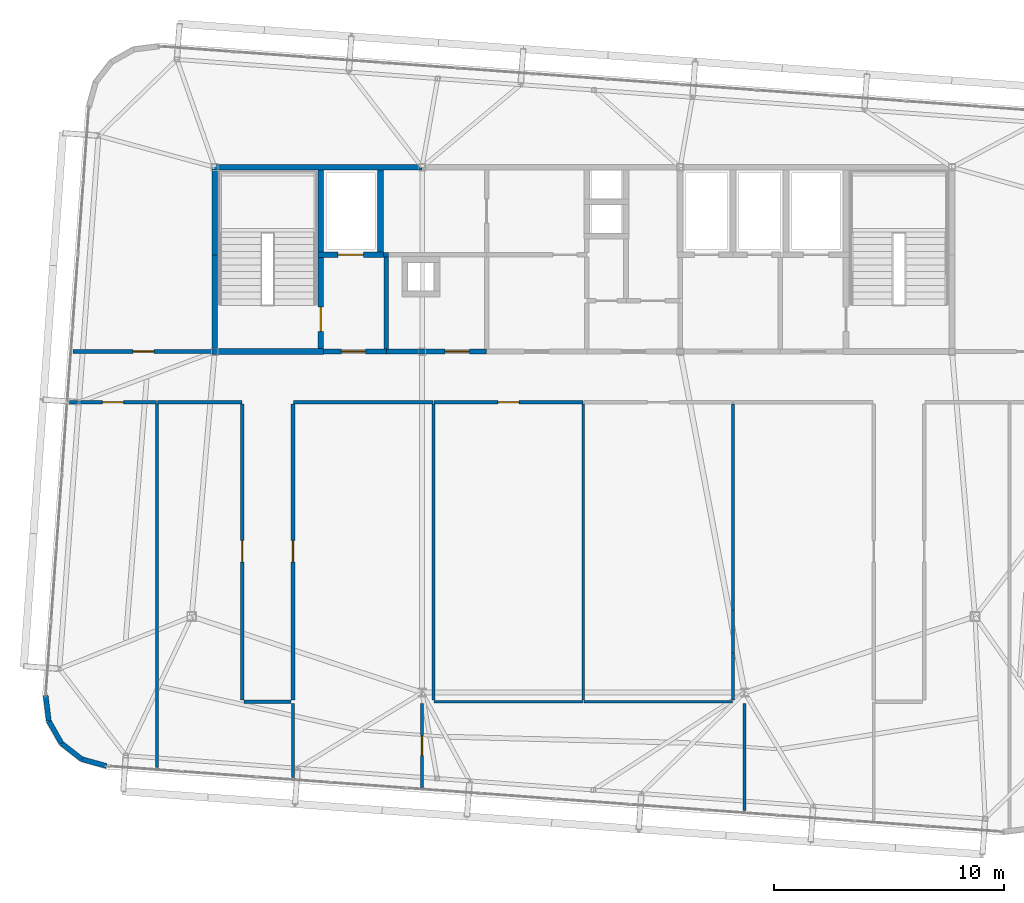
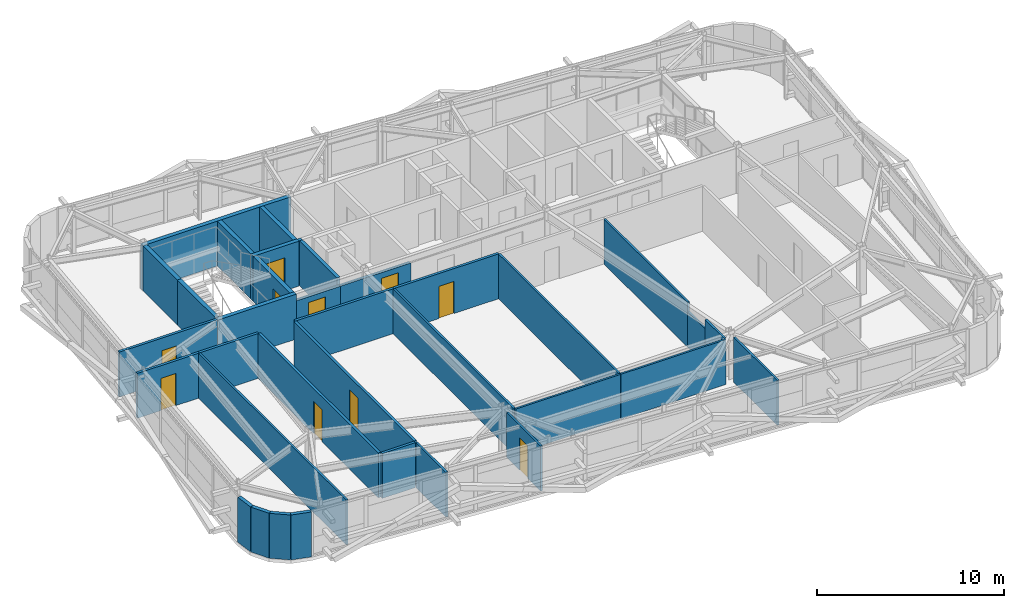
# One storey, part 38 of 42: 35 walls, 10 doors, 10 openings.
"""IFC4 building model written with IfcOpenShell, lengths in metres."""

import ifcopenshell
import ifcopenshell.guid

model = None  # the IFC model being written
_history = None  # IfcOwnerHistory: only IFC2X3 demands one
_inside = {}  # id of a spatial element -> (the spatial element, [elements in it])
_under = {}  # id of a project, library or spatial element -> (it, [spatial elements below it])
_declared = {}  # id of a project -> (the project, [libraries it declares])
_typed = {}  # id of a type object -> (the type object, [elements of that type])
_made_of = {}  # id of a material, layer set ... -> (it, [elements and type objects made of it])


def new_model(schema):
    """Start an empty IFC model of exactly this schema.

    Asked for "IFC4X3", IfcOpenShell would pick the latest addendum, in which some entities
    have other attributes; the version numbers below select the first issue.
    IFC2X3 requires an IfcOwnerHistory on every rooted entity: one is made here for all.
    """
    global model, _history
    if schema == "IFC4X3":
        model = ifcopenshell.file(schema_version=(4, 3, 0, 0))
    else:
        model = ifcopenshell.file(schema=schema)
    _inside.clear()
    _under.clear()
    _declared.clear()
    _typed.clear()
    _made_of.clear()
    _history = None
    if model.schema == "IFC2X3":
        org = make("IfcOrganization", Name="unknown")
        user = make(
            "IfcPersonAndOrganization",
            ThePerson=make("IfcPerson", FamilyName="unknown"),
            TheOrganization=org,
        )
        app = make(
            "IfcApplication",
            ApplicationDeveloper=org,
            Version="unknown",
            ApplicationFullName="unknown",
            ApplicationIdentifier="unknown",
        )
        _history = make(
            "IfcOwnerHistory",
            OwningUser=user,
            OwningApplication=app,
            ChangeAction="ADDED",
            CreationDate=0,
        )
    return model


def make(cls, **values):
    """One entity of the class cls with the attributes given. An attribute that is None is left unset."""
    return model.create_entity(
        cls, **{name: value for name, value in values.items() if value is not None}
    )


def rooted(cls, **values):
    """An entity with a GlobalId (a new one), such as an element, a storey or a relation."""
    return make(cls, GlobalId=ifcopenshell.guid.new(), OwnerHistory=_history, **values)


def si_unit(unit_type, name, prefix=None):
    """IfcSIUnit, for example si_unit("LENGTHUNIT", "METRE", prefix="MILLI")."""
    return make("IfcSIUnit", UnitType=unit_type, Prefix=prefix, Name=name)


def assignment(units):
    """IfcUnitAssignment: the units of a project."""
    return None if units is None else make("IfcUnitAssignment", Units=units)


def point(xyz):
    """IfcCartesianPoint."""
    return None if xyz is None else make("IfcCartesianPoint", Coordinates=xyz)


def direction(xyz):
    """IfcDirection."""
    return None if xyz is None else make("IfcDirection", DirectionRatios=xyz)


def frame(location, z_axis=None, x_axis=None):
    """IfcAxis2Placement3D, a coordinate frame: its origin and axes. An axis left out is left unset."""
    return make(
        "IfcAxis2Placement3D",
        Location=point(location),
        Axis=direction(z_axis),
        RefDirection=direction(x_axis),
    )


def frame_2d(location, x_axis=None):
    """IfcAxis2Placement2D, a coordinate frame in the plane: its origin and x axis."""
    return make(
        "IfcAxis2Placement2D", Location=point(location), RefDirection=direction(x_axis)
    )


def origin():
    """The frame at (0, 0, 0) with its axes left unset."""
    return frame((0.0, 0.0, 0.0))


def place(relative_to, where):
    """IfcLocalPlacement: puts the frame where relative to a parent placement (None: the world)."""
    return make(
        "IfcLocalPlacement", PlacementRelTo=relative_to, RelativePlacement=where
    )


def context(
    kind, dimensions, precision=None, world=None, true_north=None, identifier=None
):
    """IfcGeometricRepresentationContext, for example the 3D "Model" context."""
    return make(
        "IfcGeometricRepresentationContext",
        ContextIdentifier=identifier,
        ContextType=kind,
        CoordinateSpaceDimension=dimensions,
        Precision=precision,
        WorldCoordinateSystem=world,
        TrueNorth=true_north,
    )


def subcontext(parent, identifier, kind, view, scale=None):
    """IfcGeometricRepresentationSubContext, for example "Body" below "Model"."""
    return make(
        "IfcGeometricRepresentationSubContext",
        ContextIdentifier=identifier,
        ContextType=kind,
        ParentContext=parent,
        TargetScale=scale,
        TargetView=view,
    )


def project(units=None, contexts=None):
    """IfcProject with its units and contexts."""
    return rooted(
        "IfcProject",
        Name="project",
        RepresentationContexts=contexts,
        UnitsInContext=assignment(units),
    )


def spatial(cls, under=None, at=None, **own):
    """A site, building, storey or space (cls), placed at a placement, below another one or the project."""
    s = rooted(cls, ObjectPlacement=at, **own)
    if under is not None:
        _under.setdefault(under.id(), (under, []))[1].append(s)
    return s


def profile(cls, at=None, kind="AREA", **sizes):
    """A parametric profile (cls). Its sizes go by their IFC names, for example OverallWidth=200.0."""
    return make(cls, ProfileType=kind, Position=at, **sizes)


def rectangle(**sizes):
    """IfcRectangleProfileDef."""
    return profile("IfcRectangleProfileDef", **sizes)


def extrude(swept, where, along, depth):
    """IfcExtrudedAreaSolid: the profile swept, set in the frame where, extruded along a direction by depth."""
    return make(
        "IfcExtrudedAreaSolid",
        SweptArea=swept,
        Position=where,
        ExtrudedDirection=direction(along),
        Depth=depth,
    )


def shape(context_of_items, identifier, shape_type, items):
    """IfcShapeRepresentation: the items that make up one representation, for example the "Body"."""
    return make(
        "IfcShapeRepresentation",
        ContextOfItems=context_of_items,
        RepresentationIdentifier=identifier,
        RepresentationType=shape_type,
        Items=items,
    )


def source(mapping_origin, context_of_items, identifier, shape_type, items):
    """IfcRepresentationMap: a shape defined once, which mapped items show again and again."""
    return make(
        "IfcRepresentationMap",
        MappingOrigin=mapping_origin,
        MappedRepresentation=shape(context_of_items, identifier, shape_type, items),
    )


def transform(
    local_origin,
    x_axis=None,
    y_axis=None,
    z_axis=None,
    scale=None,
    scale2=None,
    scale3=None,
    uniform=True,
):
    """IfcCartesianTransformationOperator3D, or its non-uniform kind. x_axis, y_axis, z_axis: its Axis1, 2, 3."""
    if uniform:
        return make(
            "IfcCartesianTransformationOperator3D",
            Axis1=direction(x_axis),
            Axis2=direction(y_axis),
            LocalOrigin=point(local_origin),
            Scale=scale,
            Axis3=direction(z_axis),
        )
    return make(
        "IfcCartesianTransformationOperator3DnonUniform",
        Axis1=direction(x_axis),
        Axis2=direction(y_axis),
        LocalOrigin=point(local_origin),
        Scale=scale,
        Axis3=direction(z_axis),
        Scale2=scale2,
        Scale3=scale3,
    )


def mapped(mapping_source, mapping_target):
    """IfcMappedItem: shows the shape of a source again, moved by a transform."""
    return make(
        "IfcMappedItem", MappingSource=mapping_source, MappingTarget=mapping_target
    )


def material(Name=None, Category=None):
    """IfcMaterial."""
    return make("IfcMaterial", Name=Name, Category=Category)


def layer(
    of_material, thickness, ventilated=None, Name=None, Category=None, Priority=None
):
    """IfcMaterialLayer: one layer of a wall or slab, of a material (None: an air gap)."""
    return make(
        "IfcMaterialLayer",
        Material=of_material,
        LayerThickness=thickness,
        IsVentilated=ventilated,
        Name=Name,
        Category=Category,
        Priority=Priority,
    )


def layer_set(layers, Name=None):
    """IfcMaterialLayerSet."""
    return make("IfcMaterialLayerSet", MaterialLayers=layers, LayerSetName=Name)


def made_of(thing, what):
    """Note that an element or type object is made of a material, layer set ...; save() writes the relation."""
    if what is not None:
        _made_of.setdefault(what.id(), (what, []))[1].append(thing)
    return thing


def type_object(cls, material=None, **own):
    """A type object (cls), such as IfcWallType, which elements share."""
    return made_of(rooted(cls, **own), material)


def element(
    cls,
    number,
    at=None,
    inside=None,
    cuts=None,
    type_object=None,
    material=None,
    context=None,
    identifier="Body",
    shape_type=None,
    held_by="IfcProductDefinitionShape",
    body=None,
    shapes=None,
    **own,
):
    """One element of the class cls, such as IfcWall. Its Tag is "e" and its number.

    at: its placement. inside: the storey or other place that contains it. cuts: it is an
    opening in that element (IfcRelVoidsElement). A single representation is given by context,
    identifier, shape_type and body (its items); several are given by shapes. held_by: the class
    of the entity that holds the representations. save() writes the other relations.
    """
    e = rooted(cls, Tag="e%d" % number, ObjectPlacement=at, **own)
    if body is not None:
        shapes = [shape(context, identifier, shape_type, body)]
    if shapes is not None:
        e.Representation = make(held_by, Representations=shapes)
    if inside is not None:
        _inside.setdefault(inside.id(), (inside, []))[1].append(e)
    if cuts is not None:
        rooted(
            "IfcRelVoidsElement", RelatingBuildingElement=cuts, RelatedOpeningElement=e
        )
    if type_object is not None:
        _typed.setdefault(type_object.id(), (type_object, []))[1].append(e)
    return made_of(e, material)


def fill(opening, filler):
    """IfcRelFillsElement: the door or window that sits in an opening."""
    return rooted(
        "IfcRelFillsElement",
        RelatingOpeningElement=opening,
        RelatedBuildingElement=filler,
    )


def aggregate(whole, parts):
    """IfcRelAggregates: a whole, such as a stair, and the parts it consists of."""
    return rooted("IfcRelAggregates", RelatingObject=whole, RelatedObjects=parts)


def save(model, path):
    """Write the relations noted so far, then the file.

    IfcRelAggregates (storeys below a building ...), IfcRelContainedInSpatialStructure (elements
    in a storey), IfcRelDefinesByType, IfcRelAssociatesMaterial and IfcRelDeclares: one each for
    every whole, place, type object, material and project.
    """
    for whole, parts in _under.values():
        aggregate(whole, parts)
    for where, things in _inside.values():
        rooted(
            "IfcRelContainedInSpatialStructure",
            RelatedElements=things,
            RelatingStructure=where,
        )
    for kind, things in _typed.values():
        rooted("IfcRelDefinesByType", RelatedObjects=things, RelatingType=kind)
    for what, things in _made_of.values():
        rooted("IfcRelAssociatesMaterial", RelatedObjects=things, RelatingMaterial=what)
    for by, libraries in _declared.values():
        rooted("IfcRelDeclares", RelatingContext=by, RelatedDefinitions=libraries)
    model.write(path)


model = new_model("IFC4")

# Units and contexts
model_context = context("Model", 3, precision=1e-05, world=origin(), true_north=direction((0.0, 1.0)))
body_context = subcontext(model_context, "Body", "Model", "MODEL_VIEW")
ifc_project = project(units=[si_unit("LENGTHUNIT", "METRE"), si_unit("AREAUNIT", "SQUARE_METRE"), si_unit("VOLUMEUNIT", "CUBIC_METRE"), si_unit("PLANEANGLEUNIT", "RADIAN"), si_unit("MASSUNIT", "GRAM", prefix="KILO")], contexts=[model_context])

# Site, building, storey
site_placement = place(None, origin())
site = spatial("IfcSite", under=ifc_project, at=site_placement, CompositionType="ELEMENT")
building_placement = place(site_placement, origin())
building = spatial("IfcBuilding", under=site, at=building_placement, Name="Taldren Reach Tower", CompositionType="ELEMENT")
storey_placement = place(building_placement, frame((0.0, 0.0, 217.699951171875)))
storey = spatial("IfcBuildingStorey", under=building, at=storey_placement, Name="L66", CompositionType="ELEMENT", Elevation=217.699951171875)

# Walls
ifc_material_1 = material(Name="Pale Champagne Anodised Aluminium Cladding", Category="aluminium")
ifc_layer_1 = layer(ifc_material_1, 0.04, Name="Pale Champagne Anodised Aluminium Cladding", Category="aluminium")
ifc_material_2 = material(Name="Mineral Wool Acoustic Insulation", Category="insulation")
ifc_layer_2 = layer(ifc_material_2, 0.06, Name="Mineral Wool Acoustic Insulation", Category="insulation")
ifc_material_3 = material(Name="Steel Gr 350 (C350L0)", Category="steel")
ifc_layer_3 = layer(ifc_material_3, 0.12, Name="Steel Gr 350 (C350L0)", Category="steel")
ifc_layer_set_1 = layer_set([ifc_layer_1, ifc_layer_2, ifc_layer_3], Name="Pale Champagne Aluminium Cladding and Steel Gr 350 Stud Framing")
wall_type_1 = type_object("IfcWallType", Name="EW-CRN-220", PredefinedType="SOLIDWALL", material=ifc_layer_set_1)
shared_shape_1 = source(origin(), body_context, "Body", "SweptSolid", [
    extrude(rectangle(XDim=1.115966796875, YDim=0.219970703125, at=frame_2d((0.55810546875, 0.0))), origin(), (0.0, 0.0, 1.0), 2.929931640625),
])
for number, where, z_axis, x_axis, name in (
    (1, (11.66259765625, 9.072021484375, 0.0), (0.0, 0.0, 1.0), (0.122742076028, -0.992438604032, 0.0), "Rounded-corner pale-metal facade wall L66-SW1"),
    (2, (11.799560546875, 7.964599609375, 0.0), (0.0, 0.0, 1.0), (0.493073284892, -0.869987779067, 0.0), "Rounded-corner pale-metal facade wall L66-SW2"),
    (3, (12.349853515625, 6.99365234375, 0.0), (0.0, 0.0, 1.0), (0.788597772321, -0.614909386406, 0.0), "Rounded-corner pale-metal facade wall L66-SW3"),
):
    element("IfcWall", number, at=place(storey_placement, frame(where, z_axis=z_axis, x_axis=x_axis)), inside=storey, type_object=wall_type_1, Name=name, PredefinedType="SOLIDWALL", context=body_context, shape_type="MappedRepresentation", body=[
        mapped(shared_shape_1, transform((0.0, 0.0, 0.0), scale=1.0)),
    ])
shared_shape_2 = source(origin(), body_context, "Body", "SweptSolid", [
    extrude(rectangle(XDim=1.11572265625, YDim=0.219970703125, at=frame_2d((0.557861328125, 0.0))), origin(), (0.0, 0.0, 1.0), 2.929931640625),
])
wall_1_placement = place(storey_placement, frame((13.22998046875, 6.307373046875, 0.0), z_axis=(0.0, 0.0, 1.0), x_axis=(0.963890028874, -0.266300605026, 0.0)))
element("IfcWall", 4, at=wall_1_placement, inside=storey, type_object=wall_type_1, Name="Rounded-corner pale-metal facade wall L66-SW4", PredefinedType="SOLIDWALL", context=body_context, shape_type="MappedRepresentation", body=[
    mapped(shared_shape_2, transform((0.0, 0.0, 0.0), scale=1.0)),
])

# Wall, opening, door
ifc_material_4 = material(Name="Concrete S50 (50 MPa)", Category="concrete")
ifc_layer_4 = layer(ifc_material_4, 0.199951171875)
ifc_layer_set_2 = layer_set([ifc_layer_4], Name="Concrete S50 (50 MPa)")
wall_type_2 = type_object("IfcWallType", Name="IW-CORE-200", PredefinedType="SOLIDWALL", material=ifc_layer_set_2)
shared_shape_3 = source(origin(), body_context, "Body", "SweptSolid", [
    extrude(rectangle(XDim=4.35009765625, YDim=0.199951171875, at=frame_2d((2.175048828125, 0.0))), origin(), (0.0, 0.0, 1.0), 2.469970703125),
])
wall_2_placement = place(storey_placement, frame((30.800048828125, 24.0, 0.0), z_axis=(0.0, 0.0, 1.0), x_axis=(-1.0, 0.0, 0.0)))
wall_2 = element("IfcWall", 5, at=wall_2_placement, inside=storey, type_object=wall_type_2, Name="Rear Core Shear Wall W-INT-L66-034", PredefinedType="SOLIDWALL", context=body_context, shape_type="MappedRepresentation", body=[
    mapped(shared_shape_3, transform((0.0, 0.0, 0.0), scale=1.0)),
])
shared_shape_4 = source(origin(), body_context, "Body", "SweptSolid", [
    extrude(rectangle(XDim=1.050048828125, YDim=2.10009765625, at=frame_2d((0.52490234375, 1.050048828125))), frame((0.0, 0.10986328125, 0.0), z_axis=(0.0, -1.0, 0.0), x_axis=(1.0, 0.0, 0.0)), (0.0, 0.0, 1.0), 0.219970703125),
])
opening_1_placement = place(wall_2_placement, frame((0.75, 0.0, 0.0)))
opening_1 = element("IfcOpeningElement", 6, at=opening_1_placement, cuts=wall_2, Name="Opening DF-105", PredefinedType="OPENING", context=body_context, shape_type="MappedRepresentation", body=[
    mapped(shared_shape_4, transform((0.0, 0.0, 0.0), scale=1.0)),
])
ifc_material_5 = material(Name="Fire-Rated Care and Stair Exit Door")
door_type_1 = type_object("IfcDoorType", Name="ID-FIRE-105", OperationType="NOTDEFINED", PredefinedType="DOOR", material=ifc_material_5)
shared_shape_5 = source(origin(), body_context, "Body", "SweptSolid", [
    extrude(rectangle(XDim=1.050048828125, YDim=2.10009765625, at=frame_2d((0.52490234375, 1.050048828125))), frame((0.0, 0.02490234375, 0.0), z_axis=(0.0, -1.0, 0.0), x_axis=(1.0, 0.0, 0.0)), (0.0, 0.0, 1.0), 0.050048828125),
])
door_1_placement = place(opening_1_placement, frame((1.050048828125, 0.0, 0.0), z_axis=(0.0, 0.0, 1.0), x_axis=(-1.0, 0.0, 0.0)))
door_1 = element("IfcDoor", 7, at=door_1_placement, inside=storey, type_object=door_type_1, Name="Interior Door DR-L66-006", OperationType="SINGLE_SWING_RIGHT", OverallHeight=2.10009765625, OverallWidth=1.050048828125, PredefinedType="DOOR", context=body_context, shape_type="MappedRepresentation", body=[
    mapped(shared_shape_5, transform((0.0, 0.0, 0.0), scale=1.0)),
])
fill(opening_1, door_1)

# Walls
ifc_material_6 = material(Name="Fire-Rated Acoustic Plasterboard Stud Wall", Category="gypsum")
ifc_layer_5 = layer(ifc_material_6, 0.159912109375)
ifc_layer_set_3 = layer_set([ifc_layer_5], Name="Fire-Rated Acoustic Plasterboard Stud Wall")
wall_type_3 = type_object("IfcWallType", Name="IW-FIRE-160", PredefinedType="PARTITIONING", material=ifc_layer_set_3)
shared_shape_6 = source(origin(), body_context, "Body", "SweptSolid", [
    extrude(rectangle(XDim=2.0400390625, YDim=0.159912109375, at=frame_2d((1.02001953125, 0.0))), origin(), (0.0, 0.0, 1.0), 2.929931640625),
])
wall_3_placement = place(storey_placement, frame((22.320068359375, 8.800048828125, 0.0), z_axis=(0.0, 0.0, 1.0), x_axis=(-1.0, 0.0, 0.0)))
element("IfcWall", 8, at=wall_3_placement, inside=storey, type_object=wall_type_3, Name="Interior Partition Wall W-INT-L66-049", PredefinedType="PARTITIONING", context=body_context, shape_type="MappedRepresentation", body=[
    mapped(shared_shape_6, transform((0.0, 0.0, 0.0), scale=1.0)),
])
shared_shape_7 = source(origin(), body_context, "Body", "SweptSolid", [
    extrude(rectangle(XDim=6.0595703125, YDim=0.159912109375, at=frame_2d((3.02978515625, 0.0))), origin(), (0.0, 0.0, 1.0), 2.929931640625),
])
wall_4_placement = place(storey_placement, frame((28.479736328125, 21.800048828125, 0.0), z_axis=(0.0, 0.0, 1.0), x_axis=(-1.0, 0.0, 0.0)))
element("IfcWall", 9, at=wall_4_placement, inside=storey, type_object=wall_type_3, Name="Interior Partition Wall W-INT-L66-051", PredefinedType="PARTITIONING", context=body_context, shape_type="MappedRepresentation", body=[
    mapped(shared_shape_7, transform((0.0, 0.0, 0.0), scale=1.0)),
])
shared_shape_8 = source(origin(), body_context, "Body", "SweptSolid", [
    extrude(rectangle(XDim=4.0, YDim=0.199951171875, at=frame_2d((2.0, 0.0))), origin(), (0.0, 0.0, 1.0), 2.929931640625),
])
wall_5_placement = place(storey_placement, frame((26.449951171875, 24.10009765625, 0.0), z_axis=(0.0, 0.0, 1.0), x_axis=(0.0, 1.0, 0.0)))
element("IfcWall", 10, at=wall_5_placement, inside=storey, type_object=wall_type_2, Name="Rear Core Shear Wall W-INT-L66-006", PredefinedType="SOLIDWALL", context=body_context, shape_type="MappedRepresentation", body=[
    mapped(shared_shape_8, transform((0.0, 0.0, 0.0), scale=1.0)),
])
ifc_material_7 = material(Name="Insulated Residential Stud Partition", Category="gypsum")
ifc_layer_6 = layer(ifc_material_7, 0.1201171875)
ifc_layer_set_4 = layer_set([ifc_layer_6], Name="Insulated Residential Stud Partition")
wall_type_4 = type_object("IfcWallType", Name="IW-PART-120", PredefinedType="PARTITIONING", material=ifc_layer_set_4)
shared_shape_9 = source(origin(), body_context, "Body", "SweptSolid", [
    extrude(rectangle(XDim=1.86083984375, YDim=0.1201171875, at=frame_2d((0.930419921875, 0.0))), origin(), (0.0, 0.0, 1.0), 2.328125),
])
wall_6_placement = place(storey_placement, frame((41.5, 12.773193359375, 0.0), z_axis=(0.0, 0.0, 1.0), x_axis=(0.0, -1.0, 0.0)))
element("IfcWall", 11, at=wall_6_placement, inside=storey, type_object=wall_type_4, Name="Interior Partition Wall W-INT-L66-069 part 2", PredefinedType="PARTITIONING", context=body_context, shape_type="MappedRepresentation", body=[
    mapped(shared_shape_9, transform((0.0, 0.0, 0.0), scale=1.0)),
])
ifc_material_8 = material(Name="Concrete S65 (65 MPa)", Category="concrete")
ifc_layer_7 = layer(ifc_material_8, 0.25)
ifc_layer_set_5 = layer_set([ifc_layer_7], Name="Concrete S65 (65 MPa)")
wall_type_5 = type_object("IfcWallType", Name="IW-CORE-250", PredefinedType="SHEAR", material=ifc_layer_set_5)
shared_shape_10 = source(origin(), body_context, "Body", "SweptSolid", [
    extrude(rectangle(XDim=9.125, YDim=0.25, at=frame_2d((4.5625, 0.0))), origin(), (0.0, 0.0, 1.0), 2.929931640625),
])
wall_7_placement = place(storey_placement, frame((18.875, 32.0, 0.0), z_axis=(0.0, 0.0, 1.0), x_axis=(1.0, 0.0, 0.0)))
element("IfcWall", 12, at=wall_7_placement, inside=storey, type_object=wall_type_5, Name="Rear Core Shear Wall W-CORE-L66-NORTH1", PredefinedType="SHEAR", context=body_context, shape_type="MappedRepresentation", body=[
    mapped(shared_shape_10, transform((0.0, 0.0, 0.0), scale=1.0)),
])
shared_shape_11 = source(origin(), body_context, "Body", "SweptSolid", [
    extrude(rectangle(XDim=4.074951171875, YDim=0.25, at=frame_2d((2.03759765625, 0.0))), origin(), (0.0, 0.0, 1.0), 2.929931640625),
])
wall_8_placement = place(storey_placement, frame((19.0, 24.125, 0.0), z_axis=(0.0, 0.0, 1.0), x_axis=(0.0, 1.0, 0.0)))
element("IfcWall", 13, at=wall_8_placement, inside=storey, type_object=wall_type_5, Name="Rear Core Shear Wall W-CORE-L66-WEST1", PredefinedType="SHEAR", context=body_context, shape_type="MappedRepresentation", body=[
    mapped(shared_shape_11, transform((0.0, 0.0, 0.0), scale=1.0)),
])
shared_shape_12 = source(origin(), body_context, "Body", "SweptSolid", [
    extrude(rectangle(XDim=3.675048828125, YDim=0.25, at=frame_2d((1.83740234375, 0.0))), origin(), (0.0, 0.0, 1.0), 2.929931640625),
])
wall_9_placement = place(storey_placement, frame((19.0, 28.199951171875, 0.0), z_axis=(0.0, 0.0, 1.0), x_axis=(0.0, 1.0, 0.0)))
element("IfcWall", 14, at=wall_9_placement, inside=storey, type_object=wall_type_5, Name="Rear Core Shear Wall W-CORE-L66-WEST2", PredefinedType="SHEAR", context=body_context, shape_type="MappedRepresentation", body=[
    mapped(shared_shape_12, transform((0.0, 0.0, 0.0), scale=1.0)),
])
shared_shape_13 = source(origin(), body_context, "Body", "SweptSolid", [
    extrude(rectangle(XDim=3.550048828125, YDim=0.25, at=frame_2d((1.77490234375, 0.0))), origin(), (0.0, 0.0, 1.0), 2.929931640625),
])
for number, where, z_axis, x_axis, name in (
    (15, (23.60009765625, 28.324951171875, 0.0), (0.0, 0.0, 1.0), (0.0, 1.0, 0.0), "Rear Core Shear Wall W-INT-L66-001"),
    (16, (26.199951171875, 28.324951171875, 0.0), (0.0, 0.0, 1.0), (0.0, 1.0, 0.0), "Rear Core Shear Wall W-INT-L66-005"),
):
    element("IfcWall", number, at=place(storey_placement, frame(where, z_axis=z_axis, x_axis=x_axis)), inside=storey, type_object=wall_type_5, Name=name, PredefinedType="SHEAR", context=body_context, shape_type="MappedRepresentation", body=[
        mapped(shared_shape_13, transform((0.0, 0.0, 0.0), scale=1.0)),
    ])

# Wall, opening, door
shared_shape_14 = source(origin(), body_context, "Body", "SweptSolid", [
    extrude(rectangle(XDim=3.949951171875, YDim=0.25, at=frame_2d((1.97509765625, 0.0))), origin(), (0.0, 0.0, 1.0), 2.929931640625),
])
wall_10_placement = place(storey_placement, frame((23.60009765625, 24.125, 0.0), z_axis=(0.0, 0.0, 1.0), x_axis=(0.0, 1.0, 0.0)))
wall_10 = element("IfcWall", 17, at=wall_10_placement, inside=storey, type_object=wall_type_5, Name="Rear Core Shear Wall W-INT-L66-002", PredefinedType="SHEAR", context=body_context, shape_type="MappedRepresentation", body=[
    mapped(shared_shape_14, transform((0.0, 0.0, 0.0), scale=1.0)),
])
shared_shape_15 = source(origin(), body_context, "Body", "SweptSolid", [
    extrude(rectangle(XDim=1.050048828125, YDim=2.10009765625, at=frame_2d((0.52490234375, 1.050048828125))), frame((0.0, 0.135009765625, 0.0), z_axis=(0.0, -1.0, 0.0), x_axis=(1.0, 0.0, 0.0)), (0.0, 0.0, 1.0), 0.27001953125),
])
opening_2_placement = place(wall_10_placement, frame((0.75, 0.0, 0.0)))
opening_2 = element("IfcOpeningElement", 18, at=opening_2_placement, cuts=wall_10, Name="Opening DF-105", PredefinedType="OPENING", context=body_context, shape_type="MappedRepresentation", body=[
    mapped(shared_shape_15, transform((0.0, 0.0, 0.0), scale=1.0)),
])
door_2_placement = place(opening_2_placement, origin())
door_2 = element("IfcDoor", 19, at=door_2_placement, inside=storey, type_object=door_type_1, Name="Fire Exit Stair Door DR-L66-001", OperationType="SINGLE_SWING_LEFT", OverallHeight=2.10009765625, OverallWidth=1.050048828125, PredefinedType="DOOR", context=body_context, shape_type="MappedRepresentation", body=[
    mapped(shared_shape_5, transform((0.0, 0.0, 0.0), scale=1.0)),
])
fill(opening_2, door_2)

# Wall
shared_shape_16 = source(origin(), body_context, "Body", "SweptSolid", [
    extrude(rectangle(XDim=4.85009765625, YDim=0.25, at=frame_2d((2.425048828125, 0.0))), origin(), (0.0, 0.0, 1.0), 2.929931640625),
])
wall_11_placement = place(storey_placement, frame((18.875, 24.0, 0.0), z_axis=(0.0, 0.0, 1.0), x_axis=(1.0, 0.0, 0.0)))
element("IfcWall", 20, at=wall_11_placement, inside=storey, type_object=wall_type_5, Name="Rear Core Shear Wall W-INT-L66-003", PredefinedType="SHEAR", context=body_context, shape_type="MappedRepresentation", body=[
    mapped(shared_shape_16, transform((0.0, 0.0, 0.0), scale=1.0)),
])

# Wall, opening, door
shared_shape_17 = source(origin(), body_context, "Body", "SweptSolid", [
    extrude(rectangle(XDim=2.849853515625, YDim=0.25, at=frame_2d((1.4248046875, 0.0))), origin(), (0.0, 0.0, 1.0), 2.929931640625),
])
wall_12_placement = place(storey_placement, frame((23.47509765625, 28.199951171875, 0.0), z_axis=(0.0, 0.0, 1.0), x_axis=(1.0, 0.0, 0.0)))
wall_12 = element("IfcWall", 21, at=wall_12_placement, inside=storey, type_object=wall_type_5, Name="Rear Core Shear Wall W-INT-L66-004", PredefinedType="SHEAR", context=body_context, shape_type="MappedRepresentation", body=[
    mapped(shared_shape_17, transform((0.0, 0.0, 0.0), scale=1.0)),
])
shared_shape_18 = source(origin(), body_context, "Body", "SweptSolid", [
    extrude(rectangle(XDim=1.10009765625, YDim=2.14990234375, at=frame_2d((0.550048828125, 1.074951171875))), frame((0.0, 0.135009765625, 0.0), z_axis=(0.0, -1.0, 0.0), x_axis=(1.0, 0.0, 0.0)), (0.0, 0.0, 1.0), 0.27001953125),
])
opening_3_placement = place(wall_12_placement, frame((0.875, 0.0, 0.0)))
opening_3 = element("IfcOpeningElement", 22, at=opening_3_placement, cuts=wall_12, Name="Opening LD-FL1", PredefinedType="OPENING", context=body_context, shape_type="MappedRepresentation", body=[
    mapped(shared_shape_18, transform((0.0, 0.0, 0.0), scale=1.0)),
])
ifc_material_9 = material(Name="Stainless Steel Gr 316 Emergency Lift Landing Door", Category="steel")
door_type_2 = type_object("IfcDoorType", Name="LD-EMG-110", OperationType="SLIDING_TO_LEFT", PredefinedType="DOOR", material=ifc_material_9)
shared_shape_19 = source(origin(), body_context, "Body", "SweptSolid", [
    extrude(rectangle(XDim=1.10009765625, YDim=2.14990234375, at=frame_2d((0.550048828125, 1.074951171875))), frame((0.0, 0.02490234375, 0.0), z_axis=(0.0, -1.0, 0.0), x_axis=(1.0, 0.0, 0.0)), (0.0, 0.0, 1.0), 0.050048828125),
])
door_3_placement = place(opening_3_placement, origin())
door_3 = element("IfcDoor", 23, at=door_3_placement, inside=storey, type_object=door_type_2, Name="Lift Landing Door LD-FL1-L66", OperationType="SLIDING_TO_LEFT", OverallHeight=2.14990234375, OverallWidth=1.10009765625, PredefinedType="DOOR", context=body_context, shape_type="MappedRepresentation", body=[
    mapped(shared_shape_19, transform((0.0, 0.0, 0.0), scale=1.0)),
])
fill(opening_3, door_3)

shared_shape_20 = source(origin(), body_context, "Body", "SweptSolid", [
    extrude(rectangle(XDim=2.724853515625, YDim=0.199951171875, at=frame_2d((1.3623046875, 0.0))), origin(), (0.0, 0.0, 1.0), 2.469970703125),
])
wall_13_placement = place(storey_placement, frame((23.72509765625, 24.0, 0.0), z_axis=(0.0, 0.0, 1.0), x_axis=(1.0, 0.0, 0.0)))
wall_13 = element("IfcWall", 24, at=wall_13_placement, inside=storey, type_object=wall_type_2, Name="Rear Core Shear Wall W-INT-L66-007", PredefinedType="SOLIDWALL", context=body_context, shape_type="MappedRepresentation", body=[
    mapped(shared_shape_20, transform((0.0, 0.0, 0.0), scale=1.0)),
])
opening_4_placement = place(wall_13_placement, frame((0.77490234375, 0.0, 0.0)))
opening_4 = element("IfcOpeningElement", 25, at=opening_4_placement, cuts=wall_13, Name="Opening DF-105", PredefinedType="OPENING", context=body_context, shape_type="MappedRepresentation", body=[
    mapped(shared_shape_4, transform((0.0, 0.0, 0.0), scale=1.0)),
])
door_4_placement = place(opening_4_placement, origin())
door_4 = element("IfcDoor", 26, at=door_4_placement, inside=storey, type_object=door_type_1, Name="Interior Door DR-L66-002", OperationType="SINGLE_SWING_LEFT", OverallHeight=2.10009765625, OverallWidth=1.050048828125, PredefinedType="DOOR", context=body_context, shape_type="MappedRepresentation", body=[
    mapped(shared_shape_5, transform((0.0, 0.0, 0.0), scale=1.0)),
])
fill(opening_4, door_4)

shared_shape_21 = source(origin(), body_context, "Body", "SweptSolid", [
    extrude(rectangle(XDim=12.840087890625, YDim=0.159912109375, at=frame_2d((6.419921875, 0.0))), origin(), (0.0, 0.0, 1.0), 2.929931640625),
])
wall_14_placement = place(storey_placement, frame((20.199951171875, 8.8798828125, 0.0), z_axis=(0.0, 0.0, 1.0), x_axis=(0.0, 1.0, 0.0)))
wall_14 = element("IfcWall", 27, at=wall_14_placement, inside=storey, type_object=wall_type_3, Name="Interior Partition Wall W-INT-L66-047", PredefinedType="PARTITIONING", context=body_context, shape_type="MappedRepresentation", body=[
    mapped(shared_shape_21, transform((0.0, 0.0, 0.0), scale=1.0)),
])
shared_shape_22 = source(origin(), body_context, "Body", "SweptSolid", [
    extrude(rectangle(XDim=0.919921875, YDim=2.10009765625, at=frame_2d((0.4599609375, 1.050048828125))), frame((0.0, 0.08984375, 0.0), z_axis=(0.0, -1.0, 0.0), x_axis=(1.0, 0.0, 0.0)), (0.0, 0.0, 1.0), 0.179931640625),
])
opening_5_placement = place(wall_14_placement, frame((5.989990234375, 0.0, 0.0)))
opening_5 = element("IfcOpeningElement", 28, at=opening_5_placement, cuts=wall_14, Name="Opening DI-092", PredefinedType="OPENING", context=body_context, shape_type="MappedRepresentation", body=[
    mapped(shared_shape_22, transform((0.0, 0.0, 0.0), scale=1.0)),
])
ifc_material_10 = material(Name="Solid-Core Timber Suite Door", Category="wood")
door_type_3 = type_object("IfcDoorType", Name="ID-INT-092", OperationType="NOTDEFINED", PredefinedType="DOOR", material=ifc_material_10)
shared_shape_23 = source(origin(), body_context, "Body", "SweptSolid", [
    extrude(rectangle(XDim=0.919921875, YDim=2.10009765625, at=frame_2d((0.4599609375, 1.050048828125))), frame((0.0, 0.02490234375, 0.0), z_axis=(0.0, -1.0, 0.0), x_axis=(1.0, 0.0, 0.0)), (0.0, 0.0, 1.0), 0.050048828125),
])
door_5_placement = place(opening_5_placement, origin())
door_5 = element("IfcDoor", 29, at=door_5_placement, inside=storey, type_object=door_type_3, Name="Interior Door DR-L66-015", OperationType="SINGLE_SWING_RIGHT", OverallHeight=2.10009765625, OverallWidth=0.919921875, PredefinedType="DOOR", context=body_context, shape_type="MappedRepresentation", body=[
    mapped(shared_shape_23, transform((0.0, 0.0, 0.0), scale=1.0)),
])
fill(opening_5, door_5)

wall_15_placement = place(storey_placement, frame((22.39990234375, 21.719970703125, 0.0), z_axis=(0.0, 0.0, 1.0), x_axis=(0.0, -1.0, 0.0)))
wall_15 = element("IfcWall", 30, at=wall_15_placement, inside=storey, type_object=wall_type_3, Name="Interior Partition Wall W-INT-L66-050", PredefinedType="PARTITIONING", context=body_context, shape_type="MappedRepresentation", body=[
    mapped(shared_shape_21, transform((0.0, 0.0, 0.0), scale=1.0)),
])
opening_6_placement = place(wall_15_placement, frame((5.93017578125, 0.0, 0.0)))
opening_6 = element("IfcOpeningElement", 31, at=opening_6_placement, cuts=wall_15, Name="Opening DI-092", PredefinedType="OPENING", context=body_context, shape_type="MappedRepresentation", body=[
    mapped(shared_shape_22, transform((0.0, 0.0, 0.0), scale=1.0)),
])
door_6_placement = place(opening_6_placement, origin())
door_6 = element("IfcDoor", 32, at=door_6_placement, inside=storey, type_object=door_type_3, Name="Interior Door DR-L66-016", OperationType="SINGLE_SWING_LEFT", OverallHeight=2.10009765625, OverallWidth=0.919921875, PredefinedType="DOOR", context=body_context, shape_type="MappedRepresentation", body=[
    mapped(shared_shape_23, transform((0.0, 0.0, 0.0), scale=1.0)),
])
fill(opening_6, door_6)

# Walls
shared_shape_24 = source(origin(), body_context, "Body", "SweptSolid", [
    extrude(rectangle(XDim=12.840087890625, YDim=0.1201171875, at=frame_2d((6.419921875, 0.0))), origin(), (0.0, 0.0, 1.0), 2.929931640625),
])
for number, where, z_axis, x_axis, name in (
    (33, (28.5, 21.719970703125, 0.0), (0.0, 0.0, 1.0), (0.0, -1.0, 0.0), "Interior Partition Wall W-INT-L66-067"),
    (34, (35.0, 21.719970703125, 0.0), (0.0, 0.0, 1.0), (0.0, -1.0, 0.0), "Interior Partition Wall W-INT-L66-068"),
):
    element("IfcWall", number, at=place(storey_placement, frame(where, z_axis=z_axis, x_axis=x_axis)), inside=storey, type_object=wall_type_4, Name=name, PredefinedType="PARTITIONING", context=body_context, shape_type="MappedRepresentation", body=[
        mapped(shared_shape_24, transform((0.0, 0.0, 0.0), scale=1.0)),
    ])
shared_shape_25 = source(origin(), body_context, "Body", "SweptSolid", [
    extrude(rectangle(XDim=0.22509765625, YDim=0.199951171875, at=frame_2d((0.112548828125, 0.0))), origin(), (0.0, 0.0, 1.0), 2.929931640625),
])
wall_16_placement = place(storey_placement, frame((26.324951171875, 28.199951171875, 0.0), z_axis=(0.0, 0.0, 1.0), x_axis=(1.0, 0.0, 0.0)))
element("IfcWall", 35, at=wall_16_placement, inside=storey, type_object=wall_type_2, Name="Rear Core Partition Wall W-INT-L66-072", PredefinedType="SOLIDWALL", context=body_context, shape_type="MappedRepresentation", body=[
    mapped(shared_shape_25, transform((0.0, 0.0, 0.0), scale=1.0)),
])

# Wall, opening, door
shared_shape_26 = source(origin(), body_context, "Body", "SweptSolid", [
    extrude(rectangle(XDim=6.03173828125, YDim=0.159912109375, at=frame_2d((3.015869140625, 0.0))), origin(), (0.0, 0.0, 1.0), 2.929931640625),
])
wall_17_placement = place(storey_placement, frame((12.84326171875, 24.0, 0.0), z_axis=(0.0, 0.0, 1.0), x_axis=(1.0, 0.0, 0.0)))
wall_17 = element("IfcWall", 36, at=wall_17_placement, inside=storey, type_object=wall_type_3, Name="Interior Partition Wall W-INT-L66-045", PredefinedType="PARTITIONING", context=body_context, shape_type="MappedRepresentation", body=[
    mapped(shared_shape_26, transform((0.0, 0.0, 0.0), scale=1.0)),
])
opening_7_placement = place(wall_17_placement, frame((2.6083984375, 0.0, 0.0)))
opening_7 = element("IfcOpeningElement", 37, at=opening_7_placement, cuts=wall_17, Name="Opening DI-092", PredefinedType="OPENING", context=body_context, shape_type="MappedRepresentation", body=[
    mapped(shared_shape_22, transform((0.0, 0.0, 0.0), scale=1.0)),
])
door_7_placement = place(opening_7_placement, origin())
door_7 = element("IfcDoor", 38, at=door_7_placement, inside=storey, type_object=door_type_3, Name="Interior Door DR-L66-013", OperationType="SINGLE_SWING_RIGHT", OverallHeight=2.10009765625, OverallWidth=0.919921875, PredefinedType="DOOR", context=body_context, shape_type="MappedRepresentation", body=[
    mapped(shared_shape_23, transform((0.0, 0.0, 0.0), scale=1.0)),
])
fill(opening_7, door_7)

shared_shape_27 = source(origin(), body_context, "Body", "SweptSolid", [
    extrude(rectangle(XDim=3.786376953125, YDim=0.159912109375, at=frame_2d((1.89306640625, 0.0))), origin(), (0.0, 0.0, 1.0), 2.929931640625),
])
wall_18_placement = place(storey_placement, frame((16.479736328125, 21.800048828125, 0.0), z_axis=(0.0, 0.0, 1.0), x_axis=(-1.0, 0.0, 0.0)))
wall_18 = element("IfcWall", 39, at=wall_18_placement, inside=storey, type_object=wall_type_3, Name="Interior Partition Wall W-INT-L66-046", PredefinedType="PARTITIONING", context=body_context, shape_type="MappedRepresentation", body=[
    mapped(shared_shape_27, transform((0.0, 0.0, 0.0), scale=1.0)),
])
opening_8_placement = place(wall_18_placement, frame((1.43310546875, 0.0, 0.0)))
opening_8 = element("IfcOpeningElement", 40, at=opening_8_placement, cuts=wall_18, Name="Opening DI-092", PredefinedType="OPENING", context=body_context, shape_type="MappedRepresentation", body=[
    mapped(shared_shape_22, transform((0.0, 0.0, 0.0), scale=1.0)),
])
door_8_placement = place(opening_8_placement, origin())
door_8 = element("IfcDoor", 41, at=door_8_placement, inside=storey, type_object=door_type_3, Name="Interior Door DR-L66-014", OperationType="SINGLE_SWING_LEFT", OverallHeight=2.10009765625, OverallWidth=0.919921875, PredefinedType="DOOR", context=body_context, shape_type="MappedRepresentation", body=[
    mapped(shared_shape_23, transform((0.0, 0.0, 0.0), scale=1.0)),
])
fill(opening_8, door_8)

# Wall
shared_shape_28 = source(origin(), body_context, "Body", "SweptSolid", [
    extrude(rectangle(XDim=3.659423828125, YDim=0.159912109375, at=frame_2d((1.82958984375, 0.0))), origin(), (0.0, 0.0, 1.0), 2.929931640625),
])
wall_19_placement = place(storey_placement, frame((20.1796875, 21.800048828125, 0.0), z_axis=(0.0, 0.0, 1.0), x_axis=(-1.0, 0.0, 0.0)))
element("IfcWall", 42, at=wall_19_placement, inside=storey, type_object=wall_type_3, Name="Interior Partition Wall W-INT-L66-048", PredefinedType="PARTITIONING", context=body_context, shape_type="MappedRepresentation", body=[
    mapped(shared_shape_28, transform((0.0, 0.0, 0.0), scale=1.0)),
])

# Wall, opening, door
shared_shape_29 = source(origin(), body_context, "Body", "SweptSolid", [
    extrude(rectangle(XDim=6.45947265625, YDim=0.159912109375, at=frame_2d((3.229736328125, 0.0))), origin(), (0.0, 0.0, 1.0), 2.929931640625),
])
wall_20_placement = place(storey_placement, frame((34.979736328125, 21.800048828125, 0.0), z_axis=(0.0, 0.0, 1.0), x_axis=(-1.0, 0.0, 0.0)))
wall_20 = element("IfcWall", 43, at=wall_20_placement, inside=storey, type_object=wall_type_3, Name="Interior Partition Wall W-INT-L66-052", PredefinedType="PARTITIONING", context=body_context, shape_type="MappedRepresentation", body=[
    mapped(shared_shape_29, transform((0.0, 0.0, 0.0), scale=1.0)),
])
opening_9_placement = place(wall_20_placement, frame((2.769775390625, 0.0, 0.0)))
opening_9 = element("IfcOpeningElement", 44, at=opening_9_placement, cuts=wall_20, Name="Opening DI-092", PredefinedType="OPENING", context=body_context, shape_type="MappedRepresentation", body=[
    mapped(shared_shape_22, transform((0.0, 0.0, 0.0), scale=1.0)),
])
door_9_placement = place(opening_9_placement, origin())
door_9 = element("IfcDoor", 45, at=door_9_placement, inside=storey, type_object=door_type_3, Name="Interior Door DR-L66-017", OperationType="SINGLE_SWING_RIGHT", OverallHeight=2.10009765625, OverallWidth=0.919921875, PredefinedType="DOOR", context=body_context, shape_type="MappedRepresentation", body=[
    mapped(shared_shape_23, transform((0.0, 0.0, 0.0), scale=1.0)),
])
fill(opening_9, door_9)

shared_shape_30 = source(origin(), body_context, "Body", "SweptSolid", [
    extrude(rectangle(XDim=3.631103515625, YDim=0.1201171875, at=frame_2d((1.8154296875, 0.0))), origin(), (0.0, 0.0, 1.0), 2.929931640625),
])
wall_21_placement = place(storey_placement, frame((28.0, 5.0888671875, 0.0), z_axis=(0.0, 0.0, 1.0), x_axis=(0.0, 1.0, 0.0)))
wall_21 = element("IfcWall", 46, at=wall_21_placement, inside=storey, type_object=wall_type_4, Name="Interior Partition Wall W-INT-L66-061", PredefinedType="PARTITIONING", context=body_context, shape_type="MappedRepresentation", body=[
    mapped(shared_shape_30, transform((0.0, 0.0, 0.0), scale=1.0)),
])
shared_shape_31 = source(origin(), body_context, "Body", "SweptSolid", [
    extrude(rectangle(XDim=0.860107421875, YDim=2.10009765625, at=frame_2d((0.43017578125, 1.050048828125))), frame((0.0, 0.070068359375, 0.0), z_axis=(0.0, -1.0, 0.0), x_axis=(1.0, 0.0, 0.0)), (0.0, 0.0, 1.0), 0.14013671875),
])
opening_10_placement = place(wall_21_placement, frame((1.385498046875, 0.0, 0.0)))
opening_10 = element("IfcOpeningElement", 47, at=opening_10_placement, cuts=wall_21, Name="Opening DI-086", PredefinedType="OPENING", context=body_context, shape_type="MappedRepresentation", body=[
    mapped(shared_shape_31, transform((0.0, 0.0, 0.0), scale=1.0)),
])
ifc_material_11 = material(Name="Timber Bathroom Door", Category="wood")
door_type_4 = type_object("IfcDoorType", Name="ID-INT-086", OperationType="NOTDEFINED", PredefinedType="DOOR", material=ifc_material_11)
shared_shape_32 = source(origin(), body_context, "Body", "SweptSolid", [
    extrude(rectangle(XDim=0.860107421875, YDim=2.10009765625, at=frame_2d((0.43017578125, 1.050048828125))), frame((0.0, 0.02490234375, 0.0), z_axis=(0.0, -1.0, 0.0), x_axis=(1.0, 0.0, 0.0)), (0.0, 0.0, 1.0), 0.050048828125),
])
door_10_placement = place(opening_10_placement, frame((0.860107421875, 0.0, 0.0), z_axis=(0.0, 0.0, 1.0), x_axis=(-1.0, 0.0, 0.0)))
door_10 = element("IfcDoor", 48, at=door_10_placement, inside=storey, type_object=door_type_4, Name="Interior Door DR-L66-023", OperationType="SINGLE_SWING_LEFT", OverallHeight=2.10009765625, OverallWidth=0.860107421875, PredefinedType="DOOR", context=body_context, shape_type="MappedRepresentation", body=[
    mapped(shared_shape_32, transform((0.0, 0.0, 0.0), scale=1.0)),
])
fill(opening_10, door_10)

# Walls
shared_shape_33 = source(origin(), body_context, "Body", "SweptSolid", [
    extrude(rectangle(XDim=6.45947265625, YDim=0.1201171875, at=frame_2d((3.229736328125, 0.0))), origin(), (0.0, 0.0, 1.0), 2.929931640625),
])
for number, where, z_axis, x_axis, name in (
    (49, (28.520263671875, 8.800048828125, 0.0), (0.0, 0.0, 1.0), (1.0, 0.0, 0.0), "Interior Partition Wall W-INT-L66-062"),
    (50, (35.020263671875, 8.800048828125, 0.0), (0.0, 0.0, 1.0), (1.0, 0.0, 0.0), "Interior Partition Wall W-INT-L66-063"),
):
    element("IfcWall", number, at=place(storey_placement, frame(where, z_axis=z_axis, x_axis=x_axis)), inside=storey, type_object=wall_type_4, Name=name, PredefinedType="PARTITIONING", context=body_context, shape_type="MappedRepresentation", body=[
        mapped(shared_shape_33, transform((0.0, 0.0, 0.0), scale=1.0)),
    ])
shared_shape_34 = source(origin(), body_context, "Body", "SweptSolid", [
    extrude(rectangle(XDim=4.6474609375, YDim=0.1201171875, at=frame_2d((2.32373046875, 0.0))), origin(), (0.0, 0.0, 1.0), 2.929931640625),
])
wall_22_placement = place(storey_placement, frame((42.0, 8.719970703125, 0.0), z_axis=(0.0, 0.0, 1.0), x_axis=(0.0, -1.0, 0.0)))
element("IfcWall", 51, at=wall_22_placement, inside=storey, type_object=wall_type_4, Name="Interior Partition Wall W-INT-L66-064", PredefinedType="PARTITIONING", context=body_context, shape_type="MappedRepresentation", body=[
    mapped(shared_shape_34, transform((0.0, 0.0, 0.0), scale=1.0)),
])
shared_shape_35 = source(origin(), body_context, "Body", "SweptSolid", [
    extrude(rectangle(XDim=15.774658203125, YDim=0.1201171875, at=frame_2d((7.88720703125, 0.0))), origin(), (0.0, 0.0, 1.0), 2.929931640625),
])
wall_23_placement = place(storey_placement, frame((16.5, 21.719970703125, 0.0), z_axis=(0.0, 0.0, 1.0), x_axis=(0.0, -1.0, 0.0)))
element("IfcWall", 52, at=wall_23_placement, inside=storey, type_object=wall_type_4, Name="Interior Partition Wall W-INT-L66-065", PredefinedType="PARTITIONING", context=body_context, shape_type="MappedRepresentation", body=[
    mapped(shared_shape_35, transform((0.0, 0.0, 0.0), scale=1.0)),
])
shared_shape_36 = source(origin(), body_context, "Body", "SweptSolid", [
    extrude(rectangle(XDim=3.2080078125, YDim=0.1201171875, at=frame_2d((1.60400390625, 0.0))), origin(), (0.0, 0.0, 1.0), 2.929931640625),
])
wall_24_placement = place(storey_placement, frame((22.39990234375, 8.719970703125, 0.0), z_axis=(0.0, 0.0, 1.0), x_axis=(0.0, -1.0, 0.0)))
element("IfcWall", 53, at=wall_24_placement, inside=storey, type_object=wall_type_4, Name="Interior Partition Wall W-INT-L66-066", PredefinedType="PARTITIONING", context=body_context, shape_type="MappedRepresentation", body=[
    mapped(shared_shape_36, transform((0.0, 0.0, 0.0), scale=1.0)),
])
shared_shape_37 = source(origin(), body_context, "Body", "SweptSolid", [
    extrude(rectangle(XDim=8.94677734375, YDim=0.1201171875, at=frame_2d((4.473388671875, 0.0))), origin(), (0.0, 0.0, 1.0), 2.929931640625),
])
wall_25_placement = place(storey_placement, frame((41.5, 21.719970703125, 0.0), z_axis=(0.0, 0.0, 1.0), x_axis=(0.0, -1.0, 0.0)))
element("IfcWall", 54, at=wall_25_placement, inside=storey, type_object=wall_type_4, Name="Interior Partition Wall W-INT-L66-069", PredefinedType="PARTITIONING", context=body_context, shape_type="MappedRepresentation", body=[
    mapped(shared_shape_37, transform((0.0, 0.0, 0.0), scale=1.0)),
])
shared_shape_38 = source(origin(), body_context, "Body", "SweptSolid", [
    extrude(rectangle(XDim=2.032470703125, YDim=0.1201171875, at=frame_2d((1.01611328125, 0.0))), origin(), (0.0, 0.0, 1.0), 2.929931640625),
])
wall_26_placement = place(storey_placement, frame((41.5, 10.912353515625, 0.0), z_axis=(0.0, 0.0, 1.0), x_axis=(0.0, -1.0, 0.0)))
element("IfcWall", 55, at=wall_26_placement, inside=storey, type_object=wall_type_4, Name="Interior Partition Wall W-INT-L66-069 part 3", PredefinedType="PARTITIONING", context=body_context, shape_type="MappedRepresentation", body=[
    mapped(shared_shape_38, transform((0.0, 0.0, 0.0), scale=1.0)),
])

save(model, "model.ifc")
